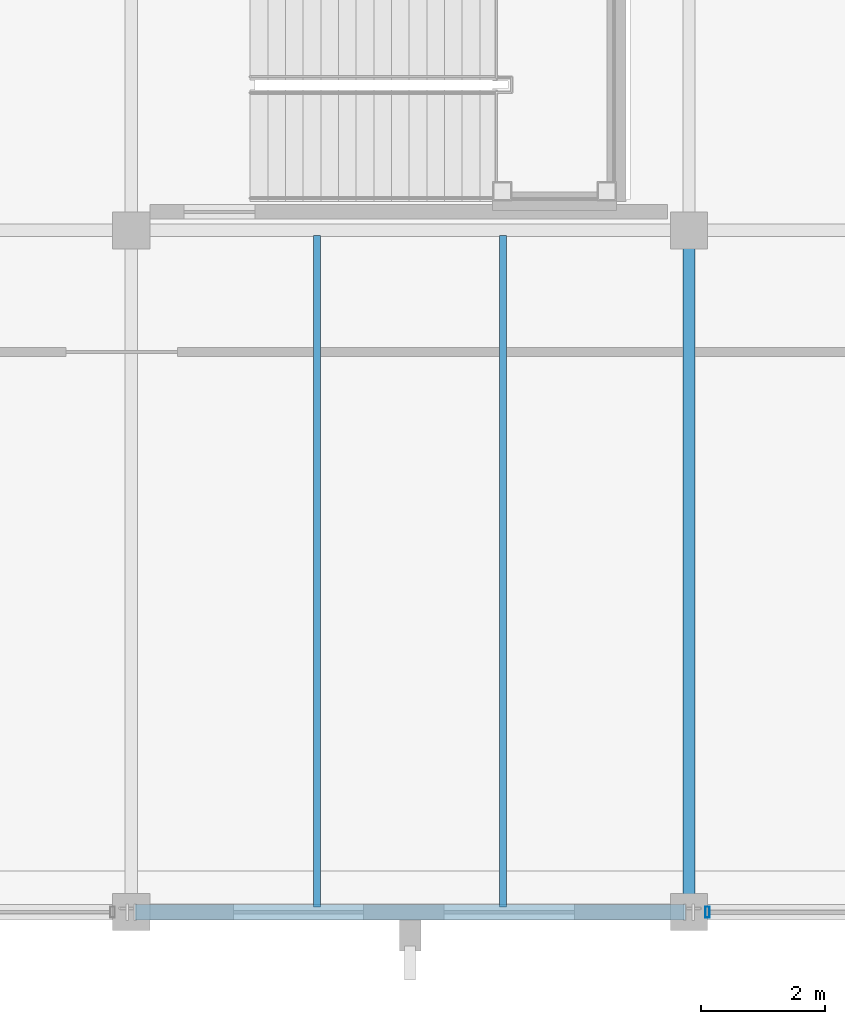
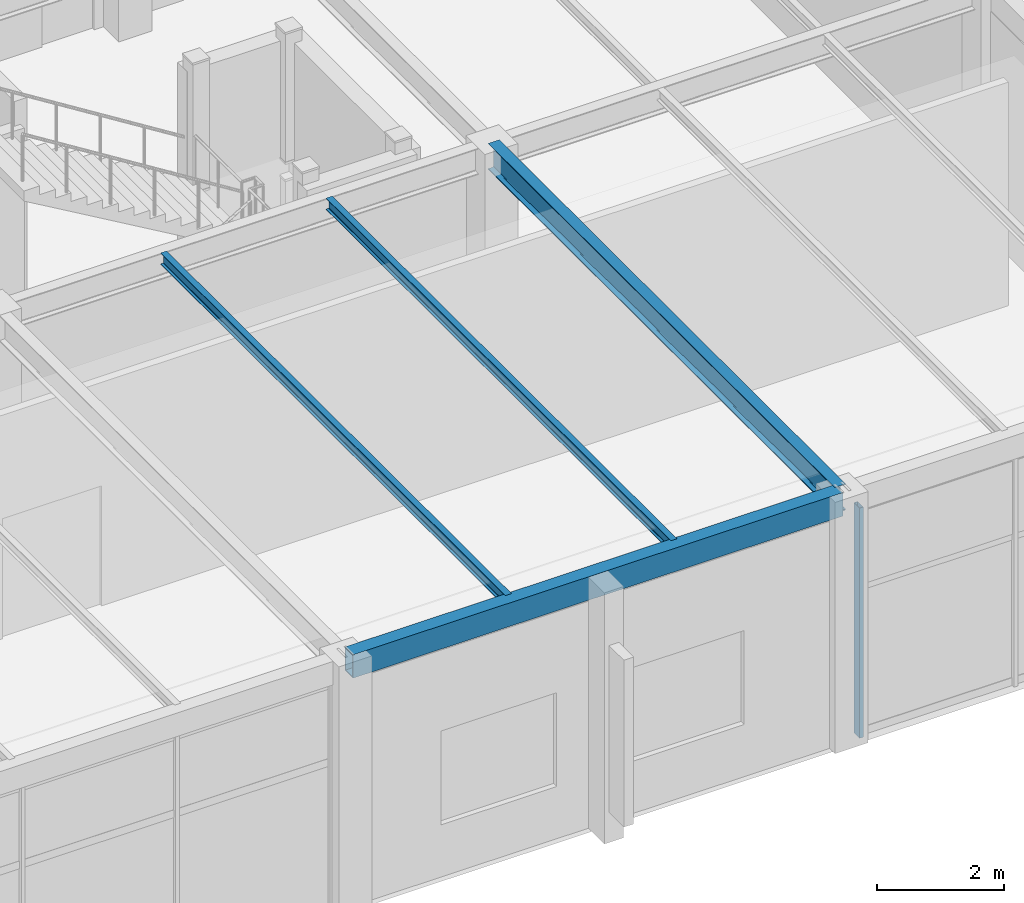
# One storey, part 60 of 143: 4 beams, 1 member, 1 element without a shape of its own.
"""IFC4 building model written with IfcOpenShell, lengths in metres."""

from ifc_helpers import new_model, si_unit, direction, frame, origin, origin_2d, place, context, subcontext, project, spatial, hollow_rectangle, i_section, extrude, material, layer, layer_set, material_profile, profile_set, type_object, element, aggregate, save


model = new_model("IFC4")

# Units and contexts
model_context = context("Model", 3, precision=1e-05, world=origin(), true_north=direction((0.0, 1.0)))
body_context = subcontext(model_context, "Body", "Model", "MODEL_VIEW")
ifc_project = project(units=[si_unit("LENGTHUNIT", "METRE"), si_unit("AREAUNIT", "SQUARE_METRE"), si_unit("VOLUMEUNIT", "CUBIC_METRE"), si_unit("PLANEANGLEUNIT", "RADIAN"), si_unit("MASSUNIT", "GRAM", prefix="KILO")], contexts=[model_context])

# Site, building, storey
site_placement = place(None, origin())
site = spatial("IfcSite", under=ifc_project, at=site_placement, CompositionType="ELEMENT")
building_placement = place(site_placement, origin())
building = spatial("IfcBuilding", under=site, at=building_placement, Name="Marlcrest Central Station", CompositionType="ELEMENT")
storey_placement = place(building_placement, frame((0.0, 0.0, 4.800048828125)))
storey = spatial("IfcBuildingStorey", under=building, at=storey_placement, Name="L01", CompositionType="ELEMENT", Elevation=4.800048828125)

# Beams
ifc_material_1 = material(Name="Steel S355", Category="steel")
ifc_material_profile_1 = material_profile(ifc_material_1, i_section(OverallWidth=0.199951171875, OverallDepth=0.5, WebThickness=0.01025390625, FlangeThickness=0.01611328125, FilletRadius=0.02099609375, at=origin_2d()), Name="IPE 500")
ifc_profile_set_1 = profile_set([ifc_material_profile_1], Name="Steel S355")
beam_type_1 = type_object("IfcBeamType", Name="BM-05", PredefinedType="BEAM", material=ifc_profile_set_1)
beam_1_placement = place(storey_placement, frame((207.0, 0.06005859375, 4.56494140625), z_axis=(0.0, 1.0, 0.0), x_axis=(-1.0, 0.0, 0.0)))
element("IfcBeam", 1, at=beam_1_placement, inside=storey, type_object=beam_type_1, Name="bm-BM-05-L01-00905", PredefinedType="BEAM", context=body_context, shape_type="SweptSolid", body=[
    extrude(i_section(OverallWidth=0.199951171875, OverallDepth=0.5, WebThickness=0.01025390625, FlangeThickness=0.01611328125, FilletRadius=0.02099609375, at=origin_2d()), origin(), (0.0, 0.0, 1.0), 10.8798828125),
])
ifc_material_profile_2 = material_profile(ifc_material_1, i_section(OverallWidth=0.110107421875, OverallDepth=0.219970703125, WebThickness=0.005859375, FlangeThickness=0.00927734375, FilletRadius=0.011962890625, at=origin_2d()), Name="IPE 220")
ifc_profile_set_2 = profile_set([ifc_material_profile_2], Name="Steel S355")
beam_type_2 = type_object("IfcBeamType", Name="JS-02", PredefinedType="JOIST", material=ifc_profile_set_2)
for number, where, z_axis, x_axis, name in (
    (2, (201.0, 0.0830078125, 4.704833984375), (0.0, 1.0, 0.0), (-1.0, 0.0, 0.0), "bm-JS-02-L01-00941"),
    (3, (204.0, 0.0830078125, 4.704833984375), (0.0, 1.0, 0.0), (-1.0, 0.0, 0.0), "bm-JS-02-L01-00944"),
):
    element("IfcBeam", number, at=place(storey_placement, frame(where, z_axis=z_axis, x_axis=x_axis)), inside=storey, type_object=beam_type_2, Name=name, PredefinedType="JOIST", context=body_context, shape_type="SweptSolid", body=[
        extrude(i_section(OverallWidth=0.110107421875, OverallDepth=0.219970703125, WebThickness=0.005859375, FlangeThickness=0.00927734375, FilletRadius=0.011962890625, at=origin_2d()), origin(), (0.0, 0.0, 1.0), 10.833984375),
    ])

# Curtain wall, member
ifc_material_2 = material(Name="Anodised aluminium and hurricane laminated glass", Category="aluminium")
ifc_layer = layer(ifc_material_2, 0.179931640625, Name="CW-S1")
ifc_layer_set = layer_set([ifc_layer], Name="Anodised aluminium and hurricane laminated glass")
curtain_wall_type = type_object("IfcCurtainWallType", Name="CW-S1", PredefinedType="USERDEFINED", material=ifc_layer_set)
curtain_wall_placement = place(storey_placement, origin())
curtain_wall = element("IfcCurtainWall", 4, at=curtain_wall_placement, inside=storey, type_object=curtain_wall_type, Name="cw-L01-0152", ObjectType="STICK_CURTAIN_WALL", PredefinedType="USERDEFINED")
ifc_material_3 = material(Name="Anodised aluminium 6063-T6", Category="aluminium")
ifc_material_profile_3 = material_profile(ifc_material_3, hollow_rectangle(XDim=0.070068359375, YDim=0.179931640625, WallThickness=0.0048828125, at=origin_2d()), Name="AA-RHS 180x70x5")
ifc_profile_set_3 = profile_set([ifc_material_profile_3], Name="Anodised aluminium 6063-T6")
member_type = type_object("IfcMemberType", Name="ML-02", PredefinedType="MULLION", material=ifc_profile_set_3)
member_placement = place(storey_placement, frame((207.300048828125, 0.0, -0.030029296875), z_axis=(0.0, 0.0, 1.0), x_axis=(1.0, 0.0, 0.0)))
member = element("IfcMember", 5, at=member_placement, type_object=member_type, Name="cw-L01-0152-ml-3", PredefinedType="MULLION", context=body_context, shape_type="SweptSolid", body=[
    extrude(hollow_rectangle(XDim=0.070068359375, YDim=0.179931640625, WallThickness=0.0048828125, at=origin_2d()), origin(), (0.0, 0.0, 1.0), 4.409912109375),
])
aggregate(curtain_wall, [member])

# Beam
ifc_material_profile_4 = material_profile(ifc_material_1, hollow_rectangle(XDim=0.25, YDim=0.449951171875, WallThickness=0.01611328125, at=origin_2d()), Name="RHS 450x250x16")
ifc_profile_set_4 = profile_set([ifc_material_profile_4], Name="Steel S355")
beam_type_3 = type_object("IfcBeamType", Name="SP-02", PredefinedType="SPANDREL", material=ifc_profile_set_4)
beam_2_placement = place(storey_placement, frame((198.06005859375, 0.0, 4.58984375), z_axis=(1.0, 0.0, 0.0), x_axis=(0.0, 1.0, 0.0)))
element("IfcBeam", 6, at=beam_2_placement, inside=storey, type_object=beam_type_3, Name="bm-SP-02-L01-00864", PredefinedType="SPANDREL", context=body_context, shape_type="SweptSolid", body=[
    extrude(hollow_rectangle(XDim=0.25, YDim=0.449951171875, WallThickness=0.01611328125, at=origin_2d()), origin(), (0.0, 0.0, 1.0), 8.8798828125),
])

save(model, "model.ifc")
